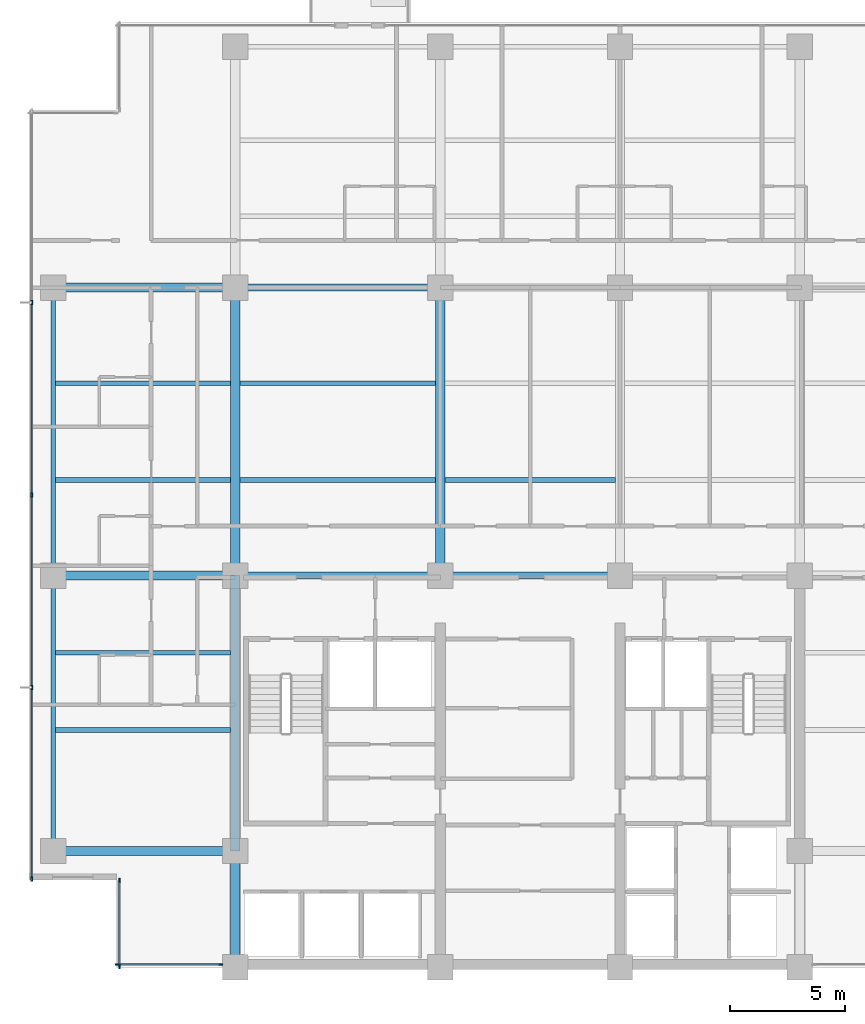
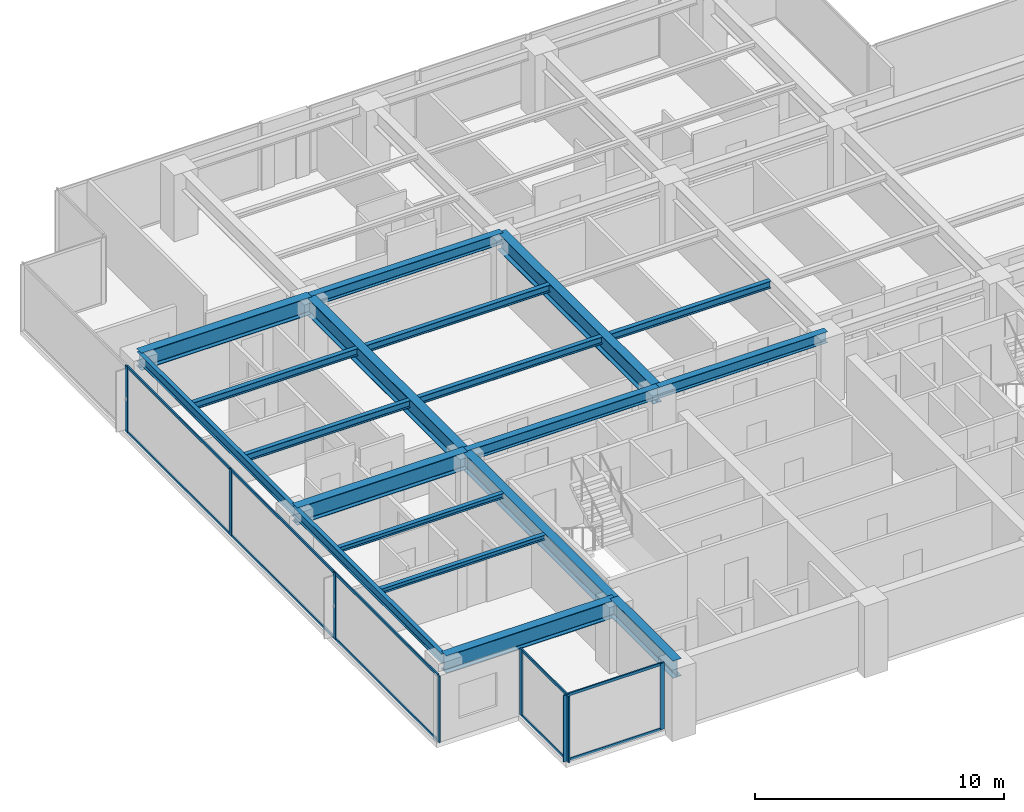
# One storey, part 2 of 14: 19 beams, 18 members, 3 elements without a shape of their own.
"""IFC4 building model written with IfcOpenShell, lengths in metres."""

from ifc_helpers import new_model, si_unit, direction, frame, origin, origin_2d, place, context, subcontext, project, spatial, rectangle, i_section, extrude, material, layer, layer_set, material_profile, profile_set, type_object, element, aggregate, save


model = new_model("IFC4")

# Units and contexts
model_context = context("Model", 3, precision=1e-05, world=origin(), true_north=direction((0.0, 1.0)))
body_context = subcontext(model_context, "Body", "Model", "MODEL_VIEW")
ifc_project = project(units=[si_unit("LENGTHUNIT", "METRE"), si_unit("AREAUNIT", "SQUARE_METRE"), si_unit("VOLUMEUNIT", "CUBIC_METRE"), si_unit("PLANEANGLEUNIT", "RADIAN"), si_unit("MASSUNIT", "GRAM", prefix="KILO")], contexts=[model_context])

# Site, building, storey
site_placement = place(None, origin())
site = spatial("IfcSite", under=ifc_project, at=site_placement, CompositionType="ELEMENT")
building_placement = place(site_placement, origin())
building = spatial("IfcBuilding", under=site, at=building_placement, Name="Qalmaran Belvedere Hotel", CompositionType="ELEMENT")
storey_placement = place(building_placement, frame((0.0, 0.0, 152.60009765625)))
storey = spatial("IfcBuildingStorey", under=building, at=storey_placement, Name="L38", CompositionType="ELEMENT", Elevation=152.60009765625)

# Beams
ifc_material_1 = material(Name="Steel S355JR", Category="steel")
ifc_material_profile_1 = material_profile(ifc_material_1, i_section(OverallWidth=0.201904296875, OverallDepth=0.2470703125, WebThickness=0.00732421875, FlangeThickness=0.010986328125, FilletRadius=0.011962890625, at=origin_2d()), Name="W250X49")
ifc_profile_set_1 = profile_set([ifc_material_profile_1], Name="Steel S355JR")
beam_type_1 = type_object("IfcBeamType", Name="BM-JST-W250X49", PredefinedType="JOIST", material=ifc_profile_set_1)
for number, where, z_axis, x_axis, name in (
    (1, (12.493896484375, 13.800048828125, 3.12646484375), (1.0, 0.0, 0.0), (0.0, 1.0, 0.0), "L38 West Wing Joist 038"),
    (2, (12.493896484375, 17.14990234375, 3.12646484375), (1.0, 0.0, 0.0), (0.0, 1.0, 0.0), "L38 West Wing Joist 040"),
):
    element("IfcBeam", number, at=place(storey_placement, frame(where, z_axis=z_axis, x_axis=x_axis)), inside=storey, type_object=beam_type_1, Name=name, PredefinedType="JOIST", context=body_context, shape_type="SweptSolid", body=[
        extrude(i_section(OverallWidth=0.201904296875, OverallDepth=0.2470703125, WebThickness=0.00732421875, FlangeThickness=0.010986328125, FilletRadius=0.011962890625, at=origin_2d()), origin(), (0.0, 0.0, 1.0), 7.608154296875),
    ])
ifc_material_profile_2 = material_profile(ifc_material_1, i_section(OverallWidth=0.39990234375, OverallDepth=0.85498046875, WebThickness=0.018310546875, FlangeThickness=0.029296875, FilletRadius=0.02392578125, at=origin_2d()), Name="W840X299")
ifc_profile_set_2 = profile_set([ifc_material_profile_2], Name="Steel S355JR")
beam_type_2 = type_object("IfcBeamType", Name="BM-PG3-W840X299", PredefinedType="USERDEFINED", material=ifc_profile_set_2)
for number, where, z_axis, x_axis, name in (
    (3, (20.300048828125, 20.5, 2.822509765625), (0.0, 1.0, 0.0), (-1.0, 0.0, 0.0), "L38 Mid-Plate N-S Girder 14"),
    (4, (29.199951171875, 20.5, 2.822509765625), (0.0, 1.0, 0.0), (-1.0, 0.0, 0.0), "L38 Mid-Plate N-S Girder 16"),
):
    element("IfcBeam", number, at=place(storey_placement, frame(where, z_axis=z_axis, x_axis=x_axis)), inside=storey, type_object=beam_type_2, Name=name, ObjectType="GIRDER", PredefinedType="USERDEFINED", context=body_context, shape_type="SweptSolid", body=[
        extrude(i_section(OverallWidth=0.39990234375, OverallDepth=0.85498046875, WebThickness=0.018310546875, FlangeThickness=0.029296875, FilletRadius=0.02392578125, at=origin_2d()), origin(), (0.0, 0.0, 1.0), 12.5),
    ])
for number, where, z_axis, x_axis, name in (
    (5, (12.39990234375, 8.550048828125, 2.822509765625), (1.0, 0.0, 0.0), (0.0, 1.0, 0.0), "L38 West Wing Girder 22"),
    (6, (12.39990234375, 20.5, 2.822509765625), (1.0, 0.0, 0.0), (0.0, 1.0, 0.0), "L38 West Wing Girder 23"),
    (7, (12.39990234375, 33.0, 2.822509765625), (1.0, 0.0, 0.0), (0.0, 1.0, 0.0), "L38 West Wing Girder 24"),
):
    element("IfcBeam", number, at=place(storey_placement, frame(where, z_axis=z_axis, x_axis=x_axis)), inside=storey, type_object=beam_type_2, Name=name, ObjectType="GIRDER", PredefinedType="USERDEFINED", context=body_context, shape_type="SweptSolid", body=[
        extrude(i_section(OverallWidth=0.39990234375, OverallDepth=0.85498046875, WebThickness=0.018310546875, FlangeThickness=0.029296875, FilletRadius=0.02392578125, at=origin_2d()), origin(), (0.0, 0.0, 1.0), 7.900146484375),
    ])
beam_1_placement = place(storey_placement, frame((20.300048828125, 3.5, 2.822509765625), z_axis=(0.0, 1.0, 0.0), x_axis=(-1.0, 0.0, 0.0)))
element("IfcBeam", 8, at=beam_1_placement, inside=storey, type_object=beam_type_2, Name="L38 West Core Edge Girder A", ObjectType="GIRDER", PredefinedType="USERDEFINED", context=body_context, shape_type="SweptSolid", body=[
    extrude(i_section(OverallWidth=0.39990234375, OverallDepth=0.85498046875, WebThickness=0.018310546875, FlangeThickness=0.029296875, FilletRadius=0.02392578125, at=origin_2d()), origin(), (0.0, 0.0, 1.0), 5.050048828125),
])
beam_2_placement = place(storey_placement, frame((20.300048828125, 8.550048828125, 2.822509765625), z_axis=(0.0, 1.0, 0.0), x_axis=(-1.0, 0.0, 0.0)))
element("IfcBeam", 9, at=beam_2_placement, inside=storey, type_object=beam_type_2, Name="L38 West Core Edge Girder B", ObjectType="GIRDER", PredefinedType="USERDEFINED", context=body_context, shape_type="SweptSolid", body=[
    extrude(i_section(OverallWidth=0.39990234375, OverallDepth=0.85498046875, WebThickness=0.018310546875, FlangeThickness=0.029296875, FilletRadius=0.02392578125, at=origin_2d()), origin(), (0.0, 0.0, 1.0), 11.949951171875),
])
ifc_material_profile_3 = material_profile(ifc_material_1, i_section(OverallWidth=0.205078125, OverallDepth=0.35400390625, WebThickness=0.009521484375, FlangeThickness=0.016845703125, FilletRadius=0.014892578125, at=origin_2d()), Name="W360X79")
ifc_profile_set_3 = profile_set([ifc_material_profile_3], Name="Steel S355JR")
beam_type_3 = type_object("IfcBeamType", Name="BM-SB3-W360X79", PredefinedType="BEAM", material=ifc_profile_set_3)
beam_3_placement = place(storey_placement, frame((12.493896484375, 24.64990234375, 3.072998046875), z_axis=(1.0, 0.0, 0.0), x_axis=(0.0, 1.0, 0.0)))
element("IfcBeam", 10, at=beam_3_placement, inside=storey, type_object=beam_type_3, Name="L38 West Secondary Beam 028", PredefinedType="BEAM", context=body_context, shape_type="SweptSolid", body=[
    extrude(i_section(OverallWidth=0.205078125, OverallDepth=0.35400390625, WebThickness=0.009521484375, FlangeThickness=0.016845703125, FilletRadius=0.014892578125, at=origin_2d()), origin(), (0.0, 0.0, 1.0), 7.608154296875),
])
beam_4_placement = place(storey_placement, frame((20.498046875, 24.64990234375, 3.072998046875), z_axis=(1.0, 0.0, 0.0), x_axis=(0.0, 1.0, 0.0)))
element("IfcBeam", 11, at=beam_4_placement, inside=storey, type_object=beam_type_3, Name="L38 Secondary Floor Beam 029", PredefinedType="BEAM", context=body_context, shape_type="SweptSolid", body=[
    extrude(i_section(OverallWidth=0.205078125, OverallDepth=0.35400390625, WebThickness=0.009521484375, FlangeThickness=0.016845703125, FilletRadius=0.014892578125, at=origin_2d()), origin(), (0.0, 0.0, 1.0), 8.50390625),
])
beam_5_placement = place(storey_placement, frame((29.39794921875, 24.64990234375, 3.072998046875), z_axis=(1.0, 0.0, 0.0), x_axis=(0.0, 1.0, 0.0)))
element("IfcBeam", 12, at=beam_5_placement, inside=storey, type_object=beam_type_3, Name="L38 Secondary Floor Beam 030", PredefinedType="BEAM", context=body_context, shape_type="SweptSolid", body=[
    extrude(i_section(OverallWidth=0.205078125, OverallDepth=0.35400390625, WebThickness=0.009521484375, FlangeThickness=0.016845703125, FilletRadius=0.014892578125, at=origin_2d()), origin(), (0.0, 0.0, 1.0), 7.404052734375),
])
beam_6_placement = place(storey_placement, frame((12.493896484375, 28.85009765625, 3.072998046875), z_axis=(1.0, 0.0, 0.0), x_axis=(0.0, 1.0, 0.0)))
element("IfcBeam", 13, at=beam_6_placement, inside=storey, type_object=beam_type_3, Name="L38 West Secondary Beam 033", PredefinedType="BEAM", context=body_context, shape_type="SweptSolid", body=[
    extrude(i_section(OverallWidth=0.205078125, OverallDepth=0.35400390625, WebThickness=0.009521484375, FlangeThickness=0.016845703125, FilletRadius=0.014892578125, at=origin_2d()), origin(), (0.0, 0.0, 1.0), 7.608154296875),
])
beam_7_placement = place(storey_placement, frame((20.498046875, 28.85009765625, 3.072998046875), z_axis=(1.0, 0.0, 0.0), x_axis=(0.0, 1.0, 0.0)))
element("IfcBeam", 14, at=beam_7_placement, inside=storey, type_object=beam_type_3, Name="L38 Secondary Floor Beam 034", PredefinedType="BEAM", context=body_context, shape_type="SweptSolid", body=[
    extrude(i_section(OverallWidth=0.205078125, OverallDepth=0.35400390625, WebThickness=0.009521484375, FlangeThickness=0.016845703125, FilletRadius=0.014892578125, at=origin_2d()), origin(), (0.0, 0.0, 1.0), 8.50390625),
])
ifc_material_profile_4 = material_profile(ifc_material_1, i_section(OverallWidth=0.19189453125, OverallDepth=0.462890625, WebThickness=0.010498046875, FlangeThickness=0.017578125, FilletRadius=0.01611328125, at=origin_2d()), Name="W460X89")
ifc_profile_set_4 = profile_set([ifc_material_profile_4], Name="Steel S355JR")
beam_type_4 = type_object("IfcBeamType", Name="BM-SP2-W460X89", PredefinedType="SPANDREL", material=ifc_profile_set_4)
beam_8_placement = place(storey_placement, frame((12.39990234375, 8.550048828125, 3.018310546875), z_axis=(0.0, 1.0, 0.0), x_axis=(-1.0, 0.0, 0.0)))
element("IfcBeam", 15, at=beam_8_placement, inside=storey, type_object=beam_type_4, Name="L38 Perimeter Spandrel 01", PredefinedType="SPANDREL", context=body_context, shape_type="SweptSolid", body=[
    extrude(i_section(OverallWidth=0.19189453125, OverallDepth=0.462890625, WebThickness=0.010498046875, FlangeThickness=0.017578125, FilletRadius=0.01611328125, at=origin_2d()), origin(), (0.0, 0.0, 1.0), 11.949951171875),
])
beam_9_placement = place(storey_placement, frame((12.39990234375, 20.5, 3.018310546875), z_axis=(0.0, 1.0, 0.0), x_axis=(-1.0, 0.0, 0.0)))
element("IfcBeam", 16, at=beam_9_placement, inside=storey, type_object=beam_type_4, Name="L38 Perimeter Spandrel 02", PredefinedType="SPANDREL", context=body_context, shape_type="SweptSolid", body=[
    extrude(i_section(OverallWidth=0.19189453125, OverallDepth=0.462890625, WebThickness=0.010498046875, FlangeThickness=0.017578125, FilletRadius=0.01611328125, at=origin_2d()), origin(), (0.0, 0.0, 1.0), 12.5),
])
ifc_material_profile_5 = material_profile(ifc_material_1, i_section(OverallWidth=0.31201171875, OverallDepth=0.54296875, WebThickness=0.0126953125, FlangeThickness=0.020263671875, FilletRadius=0.01806640625, at=origin_2d()), Name="W530X150")
ifc_profile_set_5 = profile_set([ifc_material_profile_5], Name="Steel S355JR")
beam_type_5 = type_object("IfcBeamType", Name="BM-Z3-W530X150", PredefinedType="USERDEFINED", material=ifc_profile_set_5)
beam_10_placement = place(storey_placement, frame((20.300048828125, 20.5, 2.978515625), z_axis=(1.0, 0.0, 0.0), x_axis=(0.0, 1.0, 0.0)))
element("IfcBeam", 17, at=beam_10_placement, inside=storey, type_object=beam_type_5, Name="L38 Interior E-W Girder 08", ObjectType="GIRDER", PredefinedType="USERDEFINED", context=body_context, shape_type="SweptSolid", body=[
    extrude(i_section(OverallWidth=0.31201171875, OverallDepth=0.54296875, WebThickness=0.0126953125, FlangeThickness=0.020263671875, FilletRadius=0.01806640625, at=origin_2d()), origin(), (0.0, 0.0, 1.0), 8.89990234375),
])
beam_11_placement = place(storey_placement, frame((29.199951171875, 20.5, 2.978515625), z_axis=(1.0, 0.0, 0.0), x_axis=(0.0, 1.0, 0.0)))
element("IfcBeam", 18, at=beam_11_placement, inside=storey, type_object=beam_type_5, Name="L38 Interior E-W Girder 09", ObjectType="GIRDER", PredefinedType="USERDEFINED", context=body_context, shape_type="SweptSolid", body=[
    extrude(i_section(OverallWidth=0.31201171875, OverallDepth=0.54296875, WebThickness=0.0126953125, FlangeThickness=0.020263671875, FilletRadius=0.01806640625, at=origin_2d()), origin(), (0.0, 0.0, 1.0), 7.800048828125),
])
beam_12_placement = place(storey_placement, frame((20.300048828125, 33.0, 2.978515625), z_axis=(1.0, 0.0, 0.0), x_axis=(0.0, 1.0, 0.0)))
element("IfcBeam", 19, at=beam_12_placement, inside=storey, type_object=beam_type_5, Name="L38 Interior E-W Girder 11", ObjectType="GIRDER", PredefinedType="USERDEFINED", context=body_context, shape_type="SweptSolid", body=[
    extrude(i_section(OverallWidth=0.31201171875, OverallDepth=0.54296875, WebThickness=0.0126953125, FlangeThickness=0.020263671875, FilletRadius=0.01806640625, at=origin_2d()), origin(), (0.0, 0.0, 1.0), 8.89990234375),
])

# Curtain wall, members
ifc_material_2 = material(Name="Anodised Bronze Aluminium", Category="aluminium")
ifc_layer = layer(ifc_material_2, 0.195068359375, Name="Anodised Bronze Aluminium")
ifc_layer_set = layer_set([ifc_layer], Name="Anodised Bronze Aluminium")
curtain_wall_type = type_object("IfcCurtainWallType", Name="CW4-TOWER-HIGHMID", PredefinedType="NOTDEFINED", material=ifc_layer_set)
curtain_wall_1_placement = place(storey_placement, origin())
curtain_wall_1 = element("IfcCurtainWall", 20, at=curtain_wall_1_placement, inside=storey, type_object=curtain_wall_type, Name="L38 Curtain Wall CW4", PredefinedType="NOTDEFINED")
ifc_material_profile_6 = material_profile(ifc_material_2, rectangle(XDim=0.070068359375, YDim=0.18994140625, at=origin_2d()), Name="CWM70X190")
ifc_profile_set_6 = profile_set([ifc_material_profile_6], Name="Anodised Bronze Aluminium")
member_type_1 = type_object("IfcMemberType", Name="CWM-70X190", PredefinedType="MULLION", material=ifc_profile_set_6)
member_1_placement = place(storey_placement, frame((15.18505859375, 3.6201171875, 0.0), z_axis=(0.0, 0.0, 1.0), x_axis=(0.0, 1.0, 0.0)))
member_1 = element("IfcMember", 21, at=member_1_placement, type_object=member_type_1, Name="CW4 mullion 1", PredefinedType="MULLION", context=body_context, shape_type="SweptSolid", body=[
    extrude(rectangle(XDim=0.070068359375, YDim=0.18994140625, at=origin_2d()), origin(), (0.0, 0.0, 1.0), 3.25),
])
member_2_placement = place(storey_placement, frame((19.675048828125, 3.6201171875, 0.0), z_axis=(0.0, 0.0, 1.0), x_axis=(0.0, 1.0, 0.0)))
member_2 = element("IfcMember", 22, at=member_2_placement, type_object=member_type_1, Name="CW4 mullion 2", PredefinedType="MULLION", context=body_context, shape_type="SweptSolid", body=[
    extrude(rectangle(XDim=0.070068359375, YDim=0.18994140625, at=origin_2d()), origin(), (0.0, 0.0, 1.0), 3.25),
])

curtain_wall_2_placement = place(storey_placement, origin())
curtain_wall_2 = element("IfcCurtainWall", 23, at=curtain_wall_2_placement, inside=storey, type_object=curtain_wall_type, Name="L38 Curtain Wall CW4", PredefinedType="NOTDEFINED")
member_3_placement = place(storey_placement, frame((11.469970703125, 32.35009765625, 0.0), z_axis=(0.0, 0.0, 1.0), x_axis=(1.0, 0.0, 0.0)))
member_3 = element("IfcMember", 24, at=member_3_placement, type_object=member_type_1, Name="CW4 mullion 2", PredefinedType="MULLION", context=body_context, shape_type="SweptSolid", body=[
    extrude(rectangle(XDim=0.070068359375, YDim=0.18994140625, at=origin_2d()), origin(), (0.0, 0.0, 1.0), 3.25),
])
member_4_placement = place(storey_placement, frame((11.469970703125, 24.0, 0.0), z_axis=(0.0, 0.0, 1.0), x_axis=(1.0, 0.0, 0.0)))
member_4 = element("IfcMember", 25, at=member_4_placement, type_object=member_type_1, Name="CW4 mullion 3", PredefinedType="MULLION", context=body_context, shape_type="SweptSolid", body=[
    extrude(rectangle(XDim=0.070068359375, YDim=0.18994140625, at=origin_2d()), origin(), (0.0, 0.0, 1.0), 3.25),
])
member_5_placement = place(storey_placement, frame((11.469970703125, 15.64990234375, 0.0), z_axis=(0.0, 0.0, 1.0), x_axis=(1.0, 0.0, 0.0)))
member_5 = element("IfcMember", 26, at=member_5_placement, type_object=member_type_1, Name="CW4 mullion 4", PredefinedType="MULLION", context=body_context, shape_type="SweptSolid", body=[
    extrude(rectangle(XDim=0.070068359375, YDim=0.18994140625, at=origin_2d()), origin(), (0.0, 0.0, 1.0), 3.25),
])
member_6_placement = place(storey_placement, frame((11.469970703125, 7.3349609375, 0.0), z_axis=(0.0, 0.0, 1.0), x_axis=(1.0, 0.0, 0.0)))
member_6 = element("IfcMember", 27, at=member_6_placement, type_object=member_type_1, Name="CW4 mullion 5", PredefinedType="MULLION", context=body_context, shape_type="SweptSolid", body=[
    extrude(rectangle(XDim=0.070068359375, YDim=0.18994140625, at=origin_2d()), origin(), (0.0, 0.0, 1.0), 3.25),
])

curtain_wall_3_placement = place(storey_placement, origin())
curtain_wall_3 = element("IfcCurtainWall", 28, at=curtain_wall_3_placement, inside=storey, type_object=curtain_wall_type, Name="L38 Curtain Wall CW4", PredefinedType="NOTDEFINED")
member_7_placement = place(storey_placement, frame((15.27001953125, 7.264892578125, 0.0), z_axis=(0.0, 0.0, 1.0), x_axis=(1.0, 0.0, 0.0)))
member_7 = element("IfcMember", 29, at=member_7_placement, type_object=member_type_1, Name="CW4 mullion 1", PredefinedType="MULLION", context=body_context, shape_type="SweptSolid", body=[
    extrude(rectangle(XDim=0.070068359375, YDim=0.18994140625, at=origin_2d()), origin(), (0.0, 0.0, 1.0), 3.25),
])
member_8_placement = place(storey_placement, frame((15.27001953125, 3.534912109375, 0.0), z_axis=(0.0, 0.0, 1.0), x_axis=(1.0, 0.0, 0.0)))
member_8 = element("IfcMember", 30, at=member_8_placement, type_object=member_type_1, Name="CW4 mullion 2", PredefinedType="MULLION", context=body_context, shape_type="SweptSolid", body=[
    extrude(rectangle(XDim=0.070068359375, YDim=0.18994140625, at=origin_2d()), origin(), (0.0, 0.0, 1.0), 3.25),
])

# Member
ifc_material_profile_7 = material_profile(ifc_material_2, rectangle(XDim=0.06494140625, YDim=0.1298828125, at=origin_2d()), Name="CWT65X130")
ifc_profile_set_7 = profile_set([ifc_material_profile_7], Name="Anodised Bronze Aluminium")
member_type_2 = type_object("IfcMemberType", Name="CWT-65X130", PredefinedType="USERDEFINED", material=ifc_profile_set_7)
member_9_placement = place(storey_placement, frame((15.219970703125, 3.6201171875, 0.032470703125), z_axis=(1.0, 0.0, 0.0), x_axis=(0.0, 1.0, 0.0)))
member_9 = element("IfcMember", 31, at=member_9_placement, type_object=member_type_2, Name="CW4 transom 1.1", ObjectType="TRANSOM", PredefinedType="USERDEFINED", context=body_context, shape_type="SweptSolid", body=[
    extrude(rectangle(XDim=0.06494140625, YDim=0.1298828125, at=origin_2d()), origin(), (0.0, 0.0, 1.0), 4.419921875),
])

member_10_placement = place(storey_placement, frame((15.219970703125, 3.6201171875, 3.21728515625), z_axis=(1.0, 0.0, 0.0), x_axis=(0.0, 1.0, 0.0)))
member_10 = element("IfcMember", 32, at=member_10_placement, type_object=member_type_2, Name="CW4 transom 1.2", ObjectType="TRANSOM", PredefinedType="USERDEFINED", context=body_context, shape_type="SweptSolid", body=[
    extrude(rectangle(XDim=0.06494140625, YDim=0.1298828125, at=origin_2d()), origin(), (0.0, 0.0, 1.0), 4.419921875),
])

aggregate(curtain_wall_1, [member_1, member_2, member_9, member_10])

member_11_placement = place(storey_placement, frame((11.469970703125, 32.31494140625, 0.032470703125), z_axis=(0.0, -1.0, 0.0), x_axis=(1.0, 0.0, 0.0)))
member_11 = element("IfcMember", 33, at=member_11_placement, type_object=member_type_2, Name="CW4 transom 2.1", ObjectType="TRANSOM", PredefinedType="USERDEFINED", context=body_context, shape_type="SweptSolid", body=[
    extrude(rectangle(XDim=0.06494140625, YDim=0.1298828125, at=origin_2d()), origin(), (0.0, 0.0, 1.0), 8.280029296875),
])

member_12_placement = place(storey_placement, frame((11.469970703125, 32.31494140625, 3.21728515625), z_axis=(0.0, -1.0, 0.0), x_axis=(1.0, 0.0, 0.0)))
member_12 = element("IfcMember", 34, at=member_12_placement, type_object=member_type_2, Name="CW4 transom 2.2", ObjectType="TRANSOM", PredefinedType="USERDEFINED", context=body_context, shape_type="SweptSolid", body=[
    extrude(rectangle(XDim=0.06494140625, YDim=0.1298828125, at=origin_2d()), origin(), (0.0, 0.0, 1.0), 8.280029296875),
])

member_13_placement = place(storey_placement, frame((11.469970703125, 23.965087890625, 0.032470703125), z_axis=(0.0, -1.0, 0.0), x_axis=(1.0, 0.0, 0.0)))
member_13 = element("IfcMember", 35, at=member_13_placement, type_object=member_type_2, Name="CW4 transom 3.1", ObjectType="TRANSOM", PredefinedType="USERDEFINED", context=body_context, shape_type="SweptSolid", body=[
    extrude(rectangle(XDim=0.06494140625, YDim=0.1298828125, at=origin_2d()), origin(), (0.0, 0.0, 1.0), 8.280029296875),
])

member_14_placement = place(storey_placement, frame((11.469970703125, 23.965087890625, 3.21728515625), z_axis=(0.0, -1.0, 0.0), x_axis=(1.0, 0.0, 0.0)))
member_14 = element("IfcMember", 36, at=member_14_placement, type_object=member_type_2, Name="CW4 transom 3.2", ObjectType="TRANSOM", PredefinedType="USERDEFINED", context=body_context, shape_type="SweptSolid", body=[
    extrude(rectangle(XDim=0.06494140625, YDim=0.1298828125, at=origin_2d()), origin(), (0.0, 0.0, 1.0), 8.280029296875),
])

member_15_placement = place(storey_placement, frame((11.469970703125, 15.614990234375, 0.032470703125), z_axis=(0.0, -1.0, 0.0), x_axis=(1.0, 0.0, 0.0)))
member_15 = element("IfcMember", 37, at=member_15_placement, type_object=member_type_2, Name="CW4 transom 4.1", ObjectType="TRANSOM", PredefinedType="USERDEFINED", context=body_context, shape_type="SweptSolid", body=[
    extrude(rectangle(XDim=0.06494140625, YDim=0.1298828125, at=origin_2d()), origin(), (0.0, 0.0, 1.0), 8.244873046875),
])

member_16_placement = place(storey_placement, frame((11.469970703125, 15.614990234375, 3.21728515625), z_axis=(0.0, -1.0, 0.0), x_axis=(1.0, 0.0, 0.0)))
member_16 = element("IfcMember", 38, at=member_16_placement, type_object=member_type_2, Name="CW4 transom 4.2", ObjectType="TRANSOM", PredefinedType="USERDEFINED", context=body_context, shape_type="SweptSolid", body=[
    extrude(rectangle(XDim=0.06494140625, YDim=0.1298828125, at=origin_2d()), origin(), (0.0, 0.0, 1.0), 8.244873046875),
])

aggregate(curtain_wall_2, [member_3, member_4, member_5, member_6, member_11, member_12, member_13, member_14, member_15, member_16])

member_17_placement = place(storey_placement, frame((15.27001953125, 7.22998046875, 0.032470703125), z_axis=(0.0, -1.0, 0.0), x_axis=(1.0, 0.0, 0.0)))
member_17 = element("IfcMember", 39, at=member_17_placement, type_object=member_type_2, Name="CW4 transom 1.1", ObjectType="TRANSOM", PredefinedType="USERDEFINED", context=body_context, shape_type="SweptSolid", body=[
    extrude(rectangle(XDim=0.06494140625, YDim=0.1298828125, at=origin_2d()), origin(), (0.0, 0.0, 1.0), 3.659912109375),
])

member_18_placement = place(storey_placement, frame((15.27001953125, 7.22998046875, 3.21728515625), z_axis=(0.0, -1.0, 0.0), x_axis=(1.0, 0.0, 0.0)))
member_18 = element("IfcMember", 40, at=member_18_placement, type_object=member_type_2, Name="CW4 transom 1.2", ObjectType="TRANSOM", PredefinedType="USERDEFINED", context=body_context, shape_type="SweptSolid", body=[
    extrude(rectangle(XDim=0.06494140625, YDim=0.1298828125, at=origin_2d()), origin(), (0.0, 0.0, 1.0), 3.659912109375),
])

aggregate(curtain_wall_3, [member_7, member_8, member_17, member_18])

save(model, "model.ifc")
